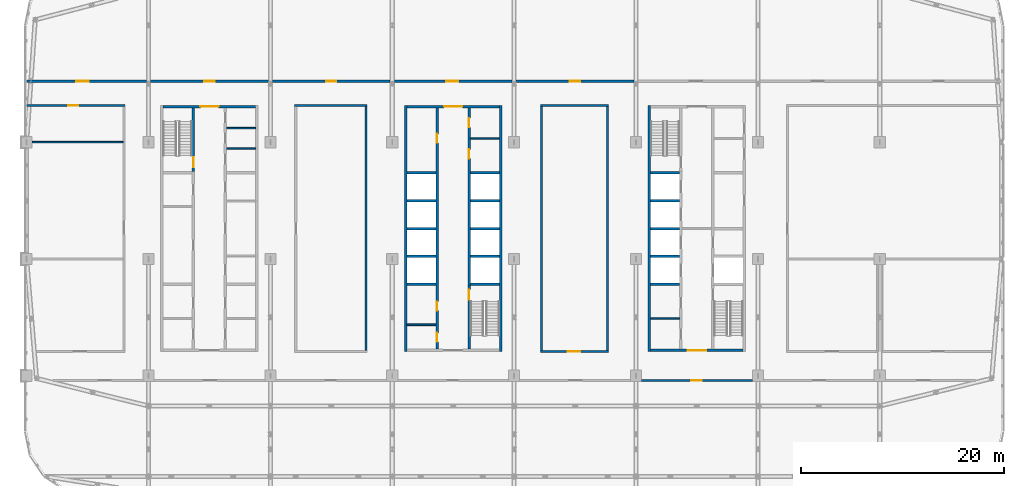
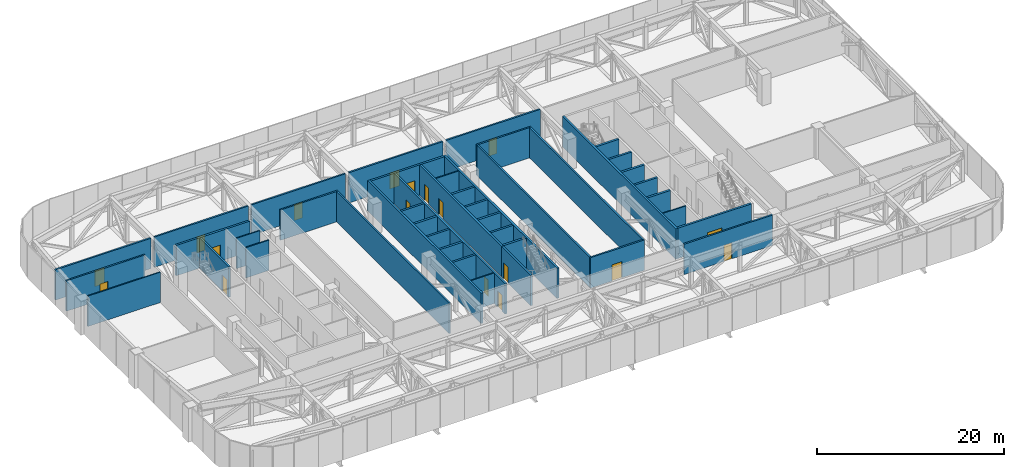
# One storey, part 14 of 28: 44 walls, 18 doors, 18 openings.
"""IFC4 building model written with IfcOpenShell, lengths in metres."""

from ifc_helpers import new_model, si_unit, direction, frame, frame_2d, origin, place, context, subcontext, project, spatial, rectangle, extrude, material, layer, layer_set, type_object, element, fill, save


model = new_model("IFC4")

# Units and contexts
model_context = context("Model", 3, precision=1e-05, world=origin(), true_north=direction((0.0, 1.0)))
body_context = subcontext(model_context, "Body", "Model", "MODEL_VIEW")
ifc_project = project(units=[si_unit("LENGTHUNIT", "METRE"), si_unit("AREAUNIT", "SQUARE_METRE"), si_unit("VOLUMEUNIT", "CUBIC_METRE"), si_unit("PLANEANGLEUNIT", "RADIAN"), si_unit("MASSUNIT", "GRAM", prefix="KILO")], contexts=[model_context])

# Site, building, storey
site_placement = place(None, origin())
site = spatial("IfcSite", under=ifc_project, at=site_placement, CompositionType="ELEMENT")
building_placement = place(site_placement, origin())
building = spatial("IfcBuilding", under=site, at=building_placement, Name="Mahtab Terrace Research Tower", CompositionType="ELEMENT")
storey_placement = place(building_placement, frame((0.0, 0.0, 224.300048828125)))
storey = spatial("IfcBuildingStorey", under=building, at=storey_placement, Name="L54", CompositionType="ELEMENT", Elevation=224.300048828125)

# Walls
ifc_material_1 = material(Name="Gypsum board partition")
ifc_layer_1 = layer(ifc_material_1, 0.14990234375)
ifc_layer_set_1 = layer_set([ifc_layer_1], Name="Core partition 150")
wall_type_1 = type_object("IfcWallType", Name="Core partition 150", PredefinedType="PARTITIONING", material=ifc_layer_set_1)
for number, where, z_axis, x_axis, name in (
    (1, (-22.300048828125, 10.875, 0.0), (0.0, 0.0, 1.0), (1.0, 0.0, 0.0), "Core wall A pEN788"),
    (2, (-22.300048828125, 12.875, 0.0), (0.0, 0.0, 1.0), (1.0, 0.0, 0.0), "Core wall A pEN988"),
    (3, (-4.550048828125, -6.47509765625, 0.0), (0.0, 0.0, 1.0), (1.0, 0.0, 0.0), "Core wall B pWS-948"),
    (4, (1.699951171875, 11.875, 0.0), (0.0, 0.0, 1.0), (1.0, 0.0, 0.0), "Core wall B pEN888"),
    (5, (19.449951171875, -5.875, 0.0), (0.0, 0.0, 1.0), (1.0, 0.0, 0.0), "Core wall C pWS-888"),
):
    element("IfcWall", number, at=place(storey_placement, frame(where, z_axis=z_axis, x_axis=x_axis)), inside=storey, type_object=wall_type_1, Name=name, PredefinedType="PARTITIONING", context=body_context, shape_type="SweptSolid", body=[
        extrude(rectangle(XDim=2.85009765625, YDim=0.14990234375, at=frame_2d((1.425048828125, 0.0))), origin(), (0.0, 0.0, 1.0), 3.9599609375),
    ])

# Wall, opening, door
ifc_material_2 = material(Name="Concrete C70/85", Category="concrete")
ifc_layer_2 = layer(ifc_material_2, 0.25)
ifc_layer_set_2 = layer_set([ifc_layer_2], Name="Core wall 250")
wall_type_2 = type_object("IfcWallType", Name="Core wall 250", PredefinedType="SOLIDWALL", material=ifc_layer_set_2)
wall_1_placement = place(storey_placement, frame((-28.550048828125, 15.0, 0.0), z_axis=(0.0, 0.0, 1.0), x_axis=(1.0, 0.0, 0.0)))
wall_1 = element("IfcWall", 6, at=wall_1_placement, inside=storey, type_object=wall_type_2, Name="Core wall A endN", PredefinedType="SOLIDWALL", context=body_context, shape_type="SweptSolid", body=[
    extrude(rectangle(XDim=9.10009765625, YDim=0.25, at=frame_2d((4.550048828125, 0.0))), origin(), (0.0, 0.0, 1.0), 3.9599609375),
])
opening_1_placement = place(wall_1_placement, frame((3.64990234375, 0.0, 0.0)))
opening_1 = element("IfcOpeningElement", 7, at=opening_1_placement, cuts=wall_1, Name="Opening A-N1", PredefinedType="OPENING", context=body_context, shape_type="SweptSolid", body=[
    extrude(rectangle(XDim=1.800048828125, YDim=2.10009765625, at=frame_2d((0.89990234375, 1.050048828125))), frame((0.0, 0.135009765625, 0.0), z_axis=(0.0, -1.0, 0.0), x_axis=(1.0, 0.0, 0.0)), (0.0, 0.0, 1.0), 0.27001953125),
])
ifc_material_3 = material(Name="Steel fire door", Category="steel")
door_type_1 = type_object("IfcDoorType", Name="Lobby double door 1800x2100 1 HR", OperationType="DOUBLE_DOOR_SINGLE_SWING", PredefinedType="DOOR", material=ifc_material_3)
door_1_placement = place(opening_1_placement, origin())
door_1 = element("IfcDoor", 8, at=door_1_placement, inside=storey, type_object=door_type_1, Name="Core entrance door A N", OperationType="DOUBLE_DOOR_SINGLE_SWING", OverallHeight=2.10009765625, OverallWidth=1.800048828125, PredefinedType="DOOR", context=body_context, shape_type="SweptSolid", body=[
    extrude(rectangle(XDim=1.800048828125, YDim=2.10009765625, at=frame_2d((0.89990234375, 1.050048828125))), frame((0.0, 0.02490234375, 0.0), z_axis=(0.0, -1.0, 0.0), x_axis=(1.0, 0.0, 0.0)), (0.0, 0.0, 1.0), 0.050048828125),
])
fill(opening_1, door_1)

wall_2_placement = place(storey_placement, frame((-25.574951171875, 14.875, 0.0), z_axis=(0.0, 0.0, 1.0), x_axis=(0.0, -1.0, 0.0)))
wall_2 = element("IfcWall", 9, at=wall_2_placement, inside=storey, type_object=wall_type_2, Name="Core wall A innerWN", PredefinedType="SOLIDWALL", context=body_context, shape_type="SweptSolid", body=[
    extrude(rectangle(XDim=6.25, YDim=0.25, at=frame_2d((3.125, 0.0))), origin(), (0.0, 0.0, 1.0), 3.9599609375),
])
opening_2_placement = place(wall_2_placement, frame((4.85009765625, 0.0, 0.0)))
opening_2 = element("IfcOpeningElement", 10, at=opening_2_placement, cuts=wall_2, Name="Opening A-ST1", PredefinedType="OPENING", context=body_context, shape_type="SweptSolid", body=[
    extrude(rectangle(XDim=1.0, YDim=2.10009765625, at=frame_2d((0.5, 1.050048828125))), frame((0.0, 0.135009765625, 0.0), z_axis=(0.0, -1.0, 0.0), x_axis=(1.0, 0.0, 0.0)), (0.0, 0.0, 1.0), 0.27001953125),
])
door_type_2 = type_object("IfcDoorType", Name="Stair door 1000x2100 1.5 HR", OperationType="NOTDEFINED", PredefinedType="DOOR", material=ifc_material_3)
door_2_placement = place(opening_2_placement, origin())
door_2 = element("IfcDoor", 11, at=door_2_placement, inside=storey, type_object=door_type_2, Name="Stair door ST1 L54", OperationType="SINGLE_SWING_LEFT", OverallHeight=2.10009765625, OverallWidth=1.0, PredefinedType="DOOR", context=body_context, shape_type="SweptSolid", body=[
    extrude(rectangle(XDim=1.0, YDim=2.10009765625, at=frame_2d((0.5, 1.050048828125))), frame((0.0, 0.02490234375, 0.0), z_axis=(0.0, -1.0, 0.0), x_axis=(1.0, 0.0, 0.0)), (0.0, 0.0, 1.0), 0.050048828125),
])
fill(opening_2, door_2)

# Walls
for number, where, z_axis, x_axis, name in (
    (12, (-4.675048828125, 15.125, 0.0), (0.0, 0.0, 1.0), (0.0, -1.0, 0.0), "Core wall B outerW"),
    (13, (4.675048828125, -9.125, 0.0), (0.0, 0.0, 1.0), (0.0, 1.0, 0.0), "Core wall B outerE"),
):
    element("IfcWall", number, at=place(storey_placement, frame(where, z_axis=z_axis, x_axis=x_axis)), inside=storey, type_object=wall_type_2, Name=name, PredefinedType="SOLIDWALL", context=body_context, shape_type="SweptSolid", body=[
        extrude(rectangle(XDim=24.25, YDim=0.25, at=frame_2d((12.125, 0.0))), origin(), (0.0, 0.0, 1.0), 3.9599609375),
    ])

# Wall, opening, door
wall_3_placement = place(storey_placement, frame((-4.550048828125, 15.0, 0.0), z_axis=(0.0, 0.0, 1.0), x_axis=(1.0, 0.0, 0.0)))
wall_3 = element("IfcWall", 14, at=wall_3_placement, inside=storey, type_object=wall_type_2, Name="Core wall B endN", PredefinedType="SOLIDWALL", context=body_context, shape_type="SweptSolid", body=[
    extrude(rectangle(XDim=9.10009765625, YDim=0.25, at=frame_2d((4.550048828125, 0.0))), origin(), (0.0, 0.0, 1.0), 3.9599609375),
])
opening_3_placement = place(wall_3_placement, frame((3.64990234375, 0.0, 0.0)))
opening_3 = element("IfcOpeningElement", 15, at=opening_3_placement, cuts=wall_3, Name="Opening B-N1", PredefinedType="OPENING", context=body_context, shape_type="SweptSolid", body=[
    extrude(rectangle(XDim=1.800048828125, YDim=2.10009765625, at=frame_2d((0.89990234375, 1.050048828125))), frame((0.0, 0.135009765625, 0.0), z_axis=(0.0, -1.0, 0.0), x_axis=(1.0, 0.0, 0.0)), (0.0, 0.0, 1.0), 0.27001953125),
])
door_3_placement = place(opening_3_placement, origin())
door_3 = element("IfcDoor", 16, at=door_3_placement, inside=storey, type_object=door_type_1, Name="Core entrance door B N", OperationType="DOUBLE_DOOR_SINGLE_SWING", OverallHeight=2.10009765625, OverallWidth=1.800048828125, PredefinedType="DOOR", context=body_context, shape_type="SweptSolid", body=[
    extrude(rectangle(XDim=1.800048828125, YDim=2.10009765625, at=frame_2d((0.89990234375, 1.050048828125))), frame((0.0, 0.02490234375, 0.0), z_axis=(0.0, -1.0, 0.0), x_axis=(1.0, 0.0, 0.0)), (0.0, 0.0, 1.0), 0.050048828125),
])
fill(opening_3, door_3)

# Wall, openings, doors
wall_4_placement = place(storey_placement, frame((-1.574951171875, -8.875, 0.0), z_axis=(0.0, 0.0, 1.0), x_axis=(0.0, 1.0, 0.0)))
wall_4 = element("IfcWall", 17, at=wall_4_placement, inside=storey, type_object=wall_type_2, Name="Core wall B innerWSLN", PredefinedType="SOLIDWALL", context=body_context, shape_type="SweptSolid", body=[
    extrude(rectangle(XDim=23.75, YDim=0.25, at=frame_2d((11.875, 0.0))), origin(), (0.0, 0.0, 1.0), 3.9599609375),
])
opening_4_placement = place(wall_4_placement, frame((0.71240234375, 0.0, 0.0)))
opening_4 = element("IfcOpeningElement", 18, at=opening_4_placement, cuts=wall_4, Name="Opening B-R1", PredefinedType="OPENING", context=body_context, shape_type="SweptSolid", body=[
    extrude(rectangle(XDim=0.89990234375, YDim=2.10009765625, at=frame_2d((0.449951171875, 1.050048828125))), frame((0.0, 0.135009765625, 0.0), z_axis=(0.0, -1.0, 0.0), x_axis=(1.0, 0.0, 0.0)), (0.0, 0.0, 1.0), 0.27001953125),
])
opening_5_placement = place(wall_4_placement, frame((3.78759765625, 0.0, 0.0)))
opening_5 = element("IfcOpeningElement", 19, at=opening_5_placement, cuts=wall_4, Name="Opening B-R2", PredefinedType="OPENING", context=body_context, shape_type="SweptSolid", body=[
    extrude(rectangle(XDim=0.89990234375, YDim=2.10009765625, at=frame_2d((0.449951171875, 1.050048828125))), frame((0.0, 0.135009765625, 0.0), z_axis=(0.0, -1.0, 0.0), x_axis=(1.0, 0.0, 0.0)), (0.0, 0.0, 1.0), 0.27001953125),
])
opening_6_placement = place(wall_4_placement, frame((20.300048828125, 0.0, 0.0)))
opening_6 = element("IfcOpeningElement", 20, at=opening_6_placement, cuts=wall_4, Name="Opening B-R3", PredefinedType="OPENING", context=body_context, shape_type="SweptSolid", body=[
    extrude(rectangle(XDim=0.89990234375, YDim=2.10009765625, at=frame_2d((0.449951171875, 1.050048828125))), frame((0.0, 0.135009765625, 0.0), z_axis=(0.0, -1.0, 0.0), x_axis=(1.0, 0.0, 0.0)), (0.0, 0.0, 1.0), 0.27001953125),
])
door_type_3 = type_object("IfcDoorType", Name="Room door 900x2100 1 HR", OperationType="NOTDEFINED", PredefinedType="DOOR", material=ifc_material_3)
door_4_placement = place(opening_4_placement, origin())
door_4 = element("IfcDoor", 21, at=door_4_placement, inside=storey, type_object=door_type_3, Name="Mechanical riser room door", OperationType="SINGLE_SWING_LEFT", OverallHeight=2.10009765625, OverallWidth=0.89990234375, PredefinedType="DOOR", context=body_context, shape_type="SweptSolid", body=[
    extrude(rectangle(XDim=0.89990234375, YDim=2.10009765625, at=frame_2d((0.449951171875, 1.050048828125))), frame((0.0, 0.02490234375, 0.0), z_axis=(0.0, -1.0, 0.0), x_axis=(1.0, 0.0, 0.0)), (0.0, 0.0, 1.0), 0.050048828125),
])
fill(opening_4, door_4)
door_5_placement = place(opening_5_placement, origin())
door_5 = element("IfcDoor", 22, at=door_5_placement, inside=storey, type_object=door_type_3, Name="Chemical store door", OperationType="SINGLE_SWING_RIGHT", OverallHeight=2.10009765625, OverallWidth=0.89990234375, PredefinedType="DOOR", context=body_context, shape_type="SweptSolid", body=[
    extrude(rectangle(XDim=0.89990234375, YDim=2.10009765625, at=frame_2d((0.449951171875, 1.050048828125))), frame((0.0, 0.02490234375, 0.0), z_axis=(0.0, -1.0, 0.0), x_axis=(1.0, 0.0, 0.0)), (0.0, 0.0, 1.0), 0.050048828125),
])
fill(opening_5, door_5)
door_6_placement = place(opening_6_placement, origin())
door_6 = element("IfcDoor", 23, at=door_6_placement, inside=storey, type_object=door_type_3, Name="Gas cylinder store door", OperationType="SINGLE_SWING_LEFT", OverallHeight=2.10009765625, OverallWidth=0.89990234375, PredefinedType="DOOR", context=body_context, shape_type="SweptSolid", body=[
    extrude(rectangle(XDim=0.89990234375, YDim=2.10009765625, at=frame_2d((0.449951171875, 1.050048828125))), frame((0.0, 0.02490234375, 0.0), z_axis=(0.0, -1.0, 0.0), x_axis=(1.0, 0.0, 0.0)), (0.0, 0.0, 1.0), 0.050048828125),
])
fill(opening_6, door_6)

# Wall, opening, door
wall_5_placement = place(storey_placement, frame((1.574951171875, -8.875, 0.0), z_axis=(0.0, 0.0, 1.0), x_axis=(0.0, 1.0, 0.0)))
wall_5 = element("IfcWall", 24, at=wall_5_placement, inside=storey, type_object=wall_type_2, Name="Core wall B innerES", PredefinedType="SOLIDWALL", context=body_context, shape_type="SweptSolid", body=[
    extrude(rectangle(XDim=6.25, YDim=0.25, at=frame_2d((3.125, 0.0))), origin(), (0.0, 0.0, 1.0), 3.9599609375),
])
opening_7_placement = place(wall_5_placement, frame((4.85009765625, 0.0, 0.0)))
opening_7 = element("IfcOpeningElement", 25, at=opening_7_placement, cuts=wall_5, Name="Opening B-ST2", PredefinedType="OPENING", context=body_context, shape_type="SweptSolid", body=[
    extrude(rectangle(XDim=1.0, YDim=2.10009765625, at=frame_2d((0.5, 1.050048828125))), frame((0.0, 0.135009765625, 0.0), z_axis=(0.0, -1.0, 0.0), x_axis=(1.0, 0.0, 0.0)), (0.0, 0.0, 1.0), 0.27001953125),
])
door_7_placement = place(opening_7_placement, origin())
door_7 = element("IfcDoor", 26, at=door_7_placement, inside=storey, type_object=door_type_2, Name="Stair door ST2 L54", OperationType="SINGLE_SWING_RIGHT", OverallHeight=2.10009765625, OverallWidth=1.0, PredefinedType="DOOR", context=body_context, shape_type="SweptSolid", body=[
    extrude(rectangle(XDim=1.0, YDim=2.10009765625, at=frame_2d((0.5, 1.050048828125))), frame((0.0, 0.02490234375, 0.0), z_axis=(0.0, -1.0, 0.0), x_axis=(1.0, 0.0, 0.0)), (0.0, 0.0, 1.0), 0.050048828125),
])
fill(opening_7, door_7)

# Wall, openings, doors
wall_6_placement = place(storey_placement, frame((1.574951171875, 14.875, 0.0), z_axis=(0.0, 0.0, 1.0), x_axis=(0.0, -1.0, 0.0)))
wall_6 = element("IfcWall", 27, at=wall_6_placement, inside=storey, type_object=wall_type_2, Name="Core wall B innerELN", PredefinedType="SOLIDWALL", context=body_context, shape_type="SweptSolid", body=[
    extrude(rectangle(XDim=17.5, YDim=0.25, at=frame_2d((8.75, 0.0))), origin(), (0.0, 0.0, 1.0), 3.9599609375),
])
opening_8_placement = place(wall_6_placement, frame((4.08740234375, 0.0, 0.0)))
opening_8 = element("IfcOpeningElement", 28, at=opening_8_placement, cuts=wall_6, Name="Opening B-R4", PredefinedType="OPENING", context=body_context, shape_type="SweptSolid", body=[
    extrude(rectangle(XDim=0.89990234375, YDim=2.10009765625, at=frame_2d((0.449951171875, 1.050048828125))), frame((0.0, 0.135009765625, 0.0), z_axis=(0.0, -1.0, 0.0), x_axis=(1.0, 0.0, 0.0)), (0.0, 0.0, 1.0), 0.27001953125),
])
opening_9_placement = place(wall_6_placement, frame((1.012451171875, 0.0, 0.0)))
opening_9 = element("IfcOpeningElement", 29, at=opening_9_placement, cuts=wall_6, Name="Opening B-R5", PredefinedType="OPENING", context=body_context, shape_type="SweptSolid", body=[
    extrude(rectangle(XDim=0.89990234375, YDim=2.10009765625, at=frame_2d((0.449951171875, 1.050048828125))), frame((0.0, 0.135009765625, 0.0), z_axis=(0.0, -1.0, 0.0), x_axis=(1.0, 0.0, 0.0)), (0.0, 0.0, 1.0), 0.27001953125),
])
door_8_placement = place(opening_8_placement, origin())
door_8 = element("IfcDoor", 30, at=door_8_placement, inside=storey, type_object=door_type_3, Name="Staff WC door", OperationType="SINGLE_SWING_RIGHT", OverallHeight=2.10009765625, OverallWidth=0.89990234375, PredefinedType="DOOR", context=body_context, shape_type="SweptSolid", body=[
    extrude(rectangle(XDim=0.89990234375, YDim=2.10009765625, at=frame_2d((0.449951171875, 1.050048828125))), frame((0.0, 0.02490234375, 0.0), z_axis=(0.0, -1.0, 0.0), x_axis=(1.0, 0.0, 0.0)), (0.0, 0.0, 1.0), 0.050048828125),
])
fill(opening_8, door_8)
door_9_placement = place(opening_9_placement, origin())
door_9 = element("IfcDoor", 31, at=door_9_placement, inside=storey, type_object=door_type_3, Name="Accessible WC door", OperationType="SINGLE_SWING_LEFT", OverallHeight=2.10009765625, OverallWidth=0.89990234375, PredefinedType="DOOR", context=body_context, shape_type="SweptSolid", body=[
    extrude(rectangle(XDim=0.89990234375, YDim=2.10009765625, at=frame_2d((0.449951171875, 1.050048828125))), frame((0.0, 0.02490234375, 0.0), z_axis=(0.0, -1.0, 0.0), x_axis=(1.0, 0.0, 0.0)), (0.0, 0.0, 1.0), 0.050048828125),
])
fill(opening_9, door_9)

# Walls
for number, where, z_axis, x_axis, name in (
    (32, (-4.550048828125, -2.5, 0.0), (0.0, 0.0, 1.0), (1.0, 0.0, 0.0), "Core wall B divW0"),
    (33, (-4.550048828125, 0.25, 0.0), (0.0, 0.0, 1.0), (1.0, 0.0, 0.0), "Core wall B divW1"),
    (34, (-4.550048828125, 3.0, 0.0), (0.0, 0.0, 1.0), (1.0, 0.0, 0.0), "Core wall B divW2"),
    (35, (-4.550048828125, 5.75, 0.0), (0.0, 0.0, 1.0), (1.0, 0.0, 0.0), "Core wall B divW3"),
    (36, (-4.550048828125, 8.5, 0.0), (0.0, 0.0, 1.0), (1.0, 0.0, 0.0), "Core wall B divW4"),
    (37, (1.699951171875, -2.5, 0.0), (0.0, 0.0, 1.0), (1.0, 0.0, 0.0), "Core wall B divE0"),
    (38, (1.699951171875, 0.25, 0.0), (0.0, 0.0, 1.0), (1.0, 0.0, 0.0), "Core wall B divE1"),
    (39, (1.699951171875, 3.0, 0.0), (0.0, 0.0, 1.0), (1.0, 0.0, 0.0), "Core wall B divE2"),
    (40, (1.699951171875, 5.75, 0.0), (0.0, 0.0, 1.0), (1.0, 0.0, 0.0), "Core wall B divE3"),
    (41, (1.699951171875, 8.5, 0.0), (0.0, 0.0, 1.0), (1.0, 0.0, 0.0), "Core wall B divE4"),
):
    element("IfcWall", number, at=place(storey_placement, frame(where, z_axis=z_axis, x_axis=x_axis)), inside=storey, type_object=wall_type_2, Name=name, PredefinedType="SOLIDWALL", context=body_context, shape_type="SweptSolid", body=[
        extrude(rectangle(XDim=2.85009765625, YDim=0.25, at=frame_2d((1.425048828125, 0.0))), origin(), (0.0, 0.0, 1.0), 3.9599609375),
    ])
wall_7_placement = place(storey_placement, frame((19.324951171875, 15.125, 0.0), z_axis=(0.0, 0.0, 1.0), x_axis=(0.0, -1.0, 0.0)))
element("IfcWall", 42, at=wall_7_placement, inside=storey, type_object=wall_type_2, Name="Core wall C outerW", PredefinedType="SOLIDWALL", context=body_context, shape_type="SweptSolid", body=[
    extrude(rectangle(XDim=24.25, YDim=0.25, at=frame_2d((12.125, 0.0))), origin(), (0.0, 0.0, 1.0), 3.9599609375),
])

# Wall, opening, door
wall_8_placement = place(storey_placement, frame((28.550048828125, -9.0, 0.0), z_axis=(0.0, 0.0, 1.0), x_axis=(-1.0, 0.0, 0.0)))
wall_8 = element("IfcWall", 43, at=wall_8_placement, inside=storey, type_object=wall_type_2, Name="Core wall C endS", PredefinedType="SOLIDWALL", context=body_context, shape_type="SweptSolid", body=[
    extrude(rectangle(XDim=9.10009765625, YDim=0.25, at=frame_2d((4.550048828125, 0.0))), origin(), (0.0, 0.0, 1.0), 3.9599609375),
])
opening_10_placement = place(wall_8_placement, frame((3.64990234375, 0.0, 0.0)))
opening_10 = element("IfcOpeningElement", 44, at=opening_10_placement, cuts=wall_8, Name="Opening C-S1", PredefinedType="OPENING", context=body_context, shape_type="SweptSolid", body=[
    extrude(rectangle(XDim=1.800048828125, YDim=2.10009765625, at=frame_2d((0.89990234375, 1.050048828125))), frame((0.0, 0.135009765625, 0.0), z_axis=(0.0, -1.0, 0.0), x_axis=(1.0, 0.0, 0.0)), (0.0, 0.0, 1.0), 0.27001953125),
])
door_10_placement = place(opening_10_placement, origin())
door_10 = element("IfcDoor", 45, at=door_10_placement, inside=storey, type_object=door_type_1, Name="Core entrance door C S", OperationType="DOUBLE_DOOR_SINGLE_SWING", OverallHeight=2.10009765625, OverallWidth=1.800048828125, PredefinedType="DOOR", context=body_context, shape_type="SweptSolid", body=[
    extrude(rectangle(XDim=1.800048828125, YDim=2.10009765625, at=frame_2d((0.89990234375, 1.050048828125))), frame((0.0, 0.02490234375, 0.0), z_axis=(0.0, -1.0, 0.0), x_axis=(1.0, 0.0, 0.0)), (0.0, 0.0, 1.0), 0.050048828125),
])
fill(opening_10, door_10)

# Walls
for number, where, z_axis, x_axis, name in (
    (46, (19.449951171875, -2.5, 0.0), (0.0, 0.0, 1.0), (1.0, 0.0, 0.0), "Core wall C divW0"),
    (47, (19.449951171875, 0.25, 0.0), (0.0, 0.0, 1.0), (1.0, 0.0, 0.0), "Core wall C divW1"),
    (48, (19.449951171875, 3.0, 0.0), (0.0, 0.0, 1.0), (1.0, 0.0, 0.0), "Core wall C divW2"),
    (49, (19.449951171875, 5.75, 0.0), (0.0, 0.0, 1.0), (1.0, 0.0, 0.0), "Core wall C divW3"),
    (50, (19.449951171875, 8.5, 0.0), (0.0, 0.0, 1.0), (1.0, 0.0, 0.0), "Core wall C divW4"),
):
    element("IfcWall", number, at=place(storey_placement, frame(where, z_axis=z_axis, x_axis=x_axis)), inside=storey, type_object=wall_type_2, Name=name, PredefinedType="SOLIDWALL", context=body_context, shape_type="SweptSolid", body=[
        extrude(rectangle(XDim=2.85009765625, YDim=0.25, at=frame_2d((1.425048828125, 0.0))), origin(), (0.0, 0.0, 1.0), 3.9599609375),
    ])

# Wall, opening, door
ifc_material_4 = material(Name="Gypsum board corridor wall on steel studs", Category="steel")
ifc_layer_3 = layer(ifc_material_4, 0.199951171875)
ifc_layer_set_3 = layer_set([ifc_layer_3], Name="WALL CORRIDOR 200")
wall_type_3 = type_object("IfcWallType", Name="WALL CORRIDOR 200", PredefinedType="PARTITIONING", material=ifc_layer_set_3)
wall_9_placement = place(storey_placement, frame((18.550048828125, -11.949951171875, 0.0), z_axis=(0.0, 0.0, 1.0), x_axis=(1.0, 0.0, 0.0)))
wall_9 = element("IfcWall", 51, at=wall_9_placement, inside=storey, type_object=wall_type_3, Name="L54-W006", PredefinedType="PARTITIONING", context=body_context, shape_type="SweptSolid", body=[
    extrude(rectangle(XDim=10.89990234375, YDim=0.199951171875, at=frame_2d((5.449951171875, 0.0))), origin(), (0.0, 0.0, 1.0), 3.9599609375),
])
opening_11_placement = place(wall_9_placement, frame((4.89990234375, 0.0, 0.0)))
opening_11 = element("IfcOpeningElement", 52, at=opening_11_placement, cuts=wall_9, Name="Opening L54-106", PredefinedType="OPENING", context=body_context, shape_type="SweptSolid", body=[
    extrude(rectangle(XDim=1.0, YDim=2.10009765625, at=frame_2d((0.5, 1.050048828125))), frame((0.0, 0.10986328125, 0.0), z_axis=(0.0, -1.0, 0.0), x_axis=(1.0, 0.0, 0.0)), (0.0, 0.0, 1.0), 0.219970703125),
])
ifc_material_5 = material(Name="Timber door leaf in steel frame", Category="steel")
door_type_4 = type_object("IfcDoorType", Name="DOOR 1000X2100 FD30S", OperationType="SINGLE_SWING_LEFT", PredefinedType="DOOR", material=ifc_material_5)
door_11_placement = place(opening_11_placement, origin())
door_11 = element("IfcDoor", 53, at=door_11_placement, inside=storey, type_object=door_type_4, Name="Door L54-106", OperationType="SINGLE_SWING_RIGHT", OverallHeight=2.10009765625, OverallWidth=1.0, PredefinedType="DOOR", context=body_context, shape_type="SweptSolid", body=[
    extrude(rectangle(XDim=1.0, YDim=2.10009765625, at=frame_2d((0.5, 1.050048828125))), frame((0.0, 0.02490234375, 0.0), z_axis=(0.0, -1.0, 0.0), x_axis=(1.0, 0.0, 0.0)), (0.0, 0.0, 1.0), 0.050048828125),
])
fill(opening_11, door_11)

wall_10_placement = place(storey_placement, frame((8.60009765625, -9.125, 0.0), z_axis=(0.0, 0.0, 1.0), x_axis=(1.0, 0.0, 0.0)))
wall_10 = element("IfcWall", 54, at=wall_10_placement, inside=storey, type_object=wall_type_3, Name="L54-W011", PredefinedType="PARTITIONING", context=body_context, shape_type="SweptSolid", body=[
    extrude(rectangle(XDim=6.699951171875, YDim=0.199951171875, at=frame_2d((3.35009765625, 0.0))), origin(), (0.0, 0.0, 1.0), 3.9599609375),
])
opening_12_placement = place(wall_10_placement, frame((2.699951171875, 0.0, 0.0)))
opening_12 = element("IfcOpeningElement", 55, at=opening_12_placement, cuts=wall_10, Name="Opening L54-114", PredefinedType="OPENING", context=body_context, shape_type="SweptSolid", body=[
    extrude(rectangle(XDim=1.199951171875, YDim=2.10009765625, at=frame_2d((0.60009765625, 1.050048828125))), frame((0.0, 0.10986328125, 0.0), z_axis=(0.0, -1.0, 0.0), x_axis=(1.0, 0.0, 0.0)), (0.0, 0.0, 1.0), 0.219970703125),
])
door_type_5 = type_object("IfcDoorType", Name="DOOR 1200X2100 FD30S", OperationType="SINGLE_SWING_LEFT", PredefinedType="DOOR", material=ifc_material_5)
door_12_placement = place(opening_12_placement, origin())
door_12 = element("IfcDoor", 56, at=door_12_placement, inside=storey, type_object=door_type_5, Name="Door L54-114", OperationType="SINGLE_SWING_LEFT", OverallHeight=2.10009765625, OverallWidth=1.199951171875, PredefinedType="DOOR", context=body_context, shape_type="SweptSolid", body=[
    extrude(rectangle(XDim=1.199951171875, YDim=2.10009765625, at=frame_2d((0.60009765625, 1.050048828125))), frame((0.0, 0.02490234375, 0.0), z_axis=(0.0, -1.0, 0.0), x_axis=(1.0, 0.0, 0.0)), (0.0, 0.0, 1.0), 0.050048828125),
])
fill(opening_12, door_12)

wall_11_placement = place(storey_placement, frame((-42.0, 15.125, 0.0), z_axis=(0.0, 0.0, 1.0), x_axis=(1.0, 0.0, 0.0)))
wall_11 = element("IfcWall", 57, at=wall_11_placement, inside=storey, type_object=wall_type_3, Name="L54-W019", PredefinedType="PARTITIONING", context=body_context, shape_type="SweptSolid", body=[
    extrude(rectangle(XDim=9.699951171875, YDim=0.199951171875, at=frame_2d((4.85009765625, 0.0))), origin(), (0.0, 0.0, 1.0), 3.9599609375),
])
opening_13_placement = place(wall_11_placement, frame((4.10009765625, 0.0, 0.0)))
opening_13 = element("IfcOpeningElement", 58, at=opening_13_placement, cuts=wall_11, Name="Opening L54-116", PredefinedType="OPENING", context=body_context, shape_type="SweptSolid", body=[
    extrude(rectangle(XDim=1.0, YDim=2.10009765625, at=frame_2d((0.5, 1.050048828125))), frame((0.0, 0.10986328125, 0.0), z_axis=(0.0, -1.0, 0.0), x_axis=(1.0, 0.0, 0.0)), (0.0, 0.0, 1.0), 0.219970703125),
])
door_13_placement = place(opening_13_placement, origin())
door_13 = element("IfcDoor", 59, at=door_13_placement, inside=storey, type_object=door_type_4, Name="Door L54-116", OperationType="SINGLE_SWING_RIGHT", OverallHeight=2.10009765625, OverallWidth=1.0, PredefinedType="DOOR", context=body_context, shape_type="SweptSolid", body=[
    extrude(rectangle(XDim=1.0, YDim=2.10009765625, at=frame_2d((0.5, 1.050048828125))), frame((0.0, 0.02490234375, 0.0), z_axis=(0.0, -1.0, 0.0), x_axis=(1.0, 0.0, 0.0)), (0.0, 0.0, 1.0), 0.050048828125),
])
fill(opening_13, door_13)

# Walls
wall_12_placement = place(storey_placement, frame((-15.60009765625, 15.125, 0.0), z_axis=(0.0, 0.0, 1.0), x_axis=(1.0, 0.0, 0.0)))
element("IfcWall", 60, at=wall_12_placement, inside=storey, type_object=wall_type_3, Name="L54-W020", PredefinedType="PARTITIONING", context=body_context, shape_type="SweptSolid", body=[
    extrude(rectangle(XDim=7.10009765625, YDim=0.199951171875, at=frame_2d((3.550048828125, 0.0))), origin(), (0.0, 0.0, 1.0), 3.9599609375),
])
wall_13_placement = place(storey_placement, frame((8.60009765625, 15.125, 0.0), z_axis=(0.0, 0.0, 1.0), x_axis=(1.0, 0.0, 0.0)))
element("IfcWall", 61, at=wall_13_placement, inside=storey, type_object=wall_type_3, Name="L54-W021", PredefinedType="PARTITIONING", context=body_context, shape_type="SweptSolid", body=[
    extrude(rectangle(XDim=6.699951171875, YDim=0.199951171875, at=frame_2d((3.35009765625, 0.0))), origin(), (0.0, 0.0, 1.0), 3.9599609375),
])

# Wall, opening, door
wall_14_placement = place(storey_placement, frame((-42.0, 17.5, 0.0), z_axis=(0.0, 0.0, 1.0), x_axis=(1.0, 0.0, 0.0)))
wall_14 = element("IfcWall", 62, at=wall_14_placement, inside=storey, type_object=wall_type_3, Name="L54-W024", PredefinedType="PARTITIONING", context=body_context, shape_type="SweptSolid", body=[
    extrude(rectangle(XDim=11.800048828125, YDim=0.199951171875, at=frame_2d((5.89990234375, 0.0))), origin(), (0.0, 0.0, 1.0), 3.9599609375),
])
opening_14_placement = place(wall_14_placement, frame((4.89990234375, 0.0, 0.0)))
opening_14 = element("IfcOpeningElement", 63, at=opening_14_placement, cuts=wall_14, Name="Opening L54-117", PredefinedType="OPENING", context=body_context, shape_type="SweptSolid", body=[
    extrude(rectangle(XDim=1.199951171875, YDim=2.10009765625, at=frame_2d((0.60009765625, 1.050048828125))), frame((0.0, 0.10986328125, 0.0), z_axis=(0.0, -1.0, 0.0), x_axis=(1.0, 0.0, 0.0)), (0.0, 0.0, 1.0), 0.219970703125),
])
door_14_placement = place(opening_14_placement, origin())
door_14 = element("IfcDoor", 64, at=door_14_placement, inside=storey, type_object=door_type_5, Name="Door L54-117", OperationType="SINGLE_SWING_LEFT", OverallHeight=2.10009765625, OverallWidth=1.199951171875, PredefinedType="DOOR", context=body_context, shape_type="SweptSolid", body=[
    extrude(rectangle(XDim=1.199951171875, YDim=2.10009765625, at=frame_2d((0.60009765625, 1.050048828125))), frame((0.0, 0.02490234375, 0.0), z_axis=(0.0, -1.0, 0.0), x_axis=(1.0, 0.0, 0.0)), (0.0, 0.0, 1.0), 0.050048828125),
])
fill(opening_14, door_14)

wall_15_placement = place(storey_placement, frame((-29.800048828125, 17.5, 0.0), z_axis=(0.0, 0.0, 1.0), x_axis=(1.0, 0.0, 0.0)))
wall_15 = element("IfcWall", 65, at=wall_15_placement, inside=storey, type_object=wall_type_3, Name="L54-W025", PredefinedType="PARTITIONING", context=body_context, shape_type="SweptSolid", body=[
    extrude(rectangle(XDim=11.60009765625, YDim=0.199951171875, at=frame_2d((5.800048828125, 0.0))), origin(), (0.0, 0.0, 1.0), 3.9599609375),
])
opening_15_placement = place(wall_15_placement, frame((5.300048828125, 0.0, 0.0)))
opening_15 = element("IfcOpeningElement", 66, at=opening_15_placement, cuts=wall_15, Name="Opening L54-118", PredefinedType="OPENING", context=body_context, shape_type="SweptSolid", body=[
    extrude(rectangle(XDim=1.0, YDim=2.10009765625, at=frame_2d((0.5, 1.050048828125))), frame((0.0, 0.10986328125, 0.0), z_axis=(0.0, -1.0, 0.0), x_axis=(1.0, 0.0, 0.0)), (0.0, 0.0, 1.0), 0.219970703125),
])
door_15_placement = place(opening_15_placement, origin())
door_15 = element("IfcDoor", 67, at=door_15_placement, inside=storey, type_object=door_type_4, Name="Door L54-118", OperationType="SINGLE_SWING_LEFT", OverallHeight=2.10009765625, OverallWidth=1.0, PredefinedType="DOOR", context=body_context, shape_type="SweptSolid", body=[
    extrude(rectangle(XDim=1.0, YDim=2.10009765625, at=frame_2d((0.5, 1.050048828125))), frame((0.0, 0.02490234375, 0.0), z_axis=(0.0, -1.0, 0.0), x_axis=(1.0, 0.0, 0.0)), (0.0, 0.0, 1.0), 0.050048828125),
])
fill(opening_15, door_15)

wall_16_placement = place(storey_placement, frame((-17.800048828125, 17.5, 0.0), z_axis=(0.0, 0.0, 1.0), x_axis=(1.0, 0.0, 0.0)))
wall_16 = element("IfcWall", 68, at=wall_16_placement, inside=storey, type_object=wall_type_3, Name="L54-W026", PredefinedType="PARTITIONING", context=body_context, shape_type="SweptSolid", body=[
    extrude(rectangle(XDim=11.60009765625, YDim=0.199951171875, at=frame_2d((5.800048828125, 0.0))), origin(), (0.0, 0.0, 1.0), 3.9599609375),
])
opening_16_placement = place(wall_16_placement, frame((5.300048828125, 0.0, 0.0)))
opening_16 = element("IfcOpeningElement", 69, at=opening_16_placement, cuts=wall_16, Name="Opening L54-119", PredefinedType="OPENING", context=body_context, shape_type="SweptSolid", body=[
    extrude(rectangle(XDim=1.0, YDim=2.10009765625, at=frame_2d((0.5, 1.050048828125))), frame((0.0, 0.10986328125, 0.0), z_axis=(0.0, -1.0, 0.0), x_axis=(1.0, 0.0, 0.0)), (0.0, 0.0, 1.0), 0.219970703125),
])
door_16_placement = place(opening_16_placement, origin())
door_16 = element("IfcDoor", 70, at=door_16_placement, inside=storey, type_object=door_type_4, Name="Door L54-119", OperationType="SINGLE_SWING_RIGHT", OverallHeight=2.10009765625, OverallWidth=1.0, PredefinedType="DOOR", context=body_context, shape_type="SweptSolid", body=[
    extrude(rectangle(XDim=1.0, YDim=2.10009765625, at=frame_2d((0.5, 1.050048828125))), frame((0.0, 0.02490234375, 0.0), z_axis=(0.0, -1.0, 0.0), x_axis=(1.0, 0.0, 0.0)), (0.0, 0.0, 1.0), 0.050048828125),
])
fill(opening_16, door_16)

wall_17_placement = place(storey_placement, frame((-5.800048828125, 17.5, 0.0), z_axis=(0.0, 0.0, 1.0), x_axis=(1.0, 0.0, 0.0)))
wall_17 = element("IfcWall", 71, at=wall_17_placement, inside=storey, type_object=wall_type_3, Name="L54-W027", PredefinedType="PARTITIONING", context=body_context, shape_type="SweptSolid", body=[
    extrude(rectangle(XDim=11.60009765625, YDim=0.199951171875, at=frame_2d((5.800048828125, 0.0))), origin(), (0.0, 0.0, 1.0), 3.9599609375),
])
opening_17_placement = place(wall_17_placement, frame((5.10009765625, 0.0, 0.0)))
opening_17 = element("IfcOpeningElement", 72, at=opening_17_placement, cuts=wall_17, Name="Opening L54-120", PredefinedType="OPENING", context=body_context, shape_type="SweptSolid", body=[
    extrude(rectangle(XDim=1.199951171875, YDim=2.10009765625, at=frame_2d((0.60009765625, 1.050048828125))), frame((0.0, 0.10986328125, 0.0), z_axis=(0.0, -1.0, 0.0), x_axis=(1.0, 0.0, 0.0)), (0.0, 0.0, 1.0), 0.219970703125),
])
door_17_placement = place(opening_17_placement, origin())
door_17 = element("IfcDoor", 73, at=door_17_placement, inside=storey, type_object=door_type_5, Name="Door L54-120", OperationType="SINGLE_SWING_LEFT", OverallHeight=2.10009765625, OverallWidth=1.199951171875, PredefinedType="DOOR", context=body_context, shape_type="SweptSolid", body=[
    extrude(rectangle(XDim=1.199951171875, YDim=2.10009765625, at=frame_2d((0.60009765625, 1.050048828125))), frame((0.0, 0.02490234375, 0.0), z_axis=(0.0, -1.0, 0.0), x_axis=(1.0, 0.0, 0.0)), (0.0, 0.0, 1.0), 0.050048828125),
])
fill(opening_17, door_17)

wall_18_placement = place(storey_placement, frame((6.199951171875, 17.5, 0.0), z_axis=(0.0, 0.0, 1.0), x_axis=(1.0, 0.0, 0.0)))
wall_18 = element("IfcWall", 74, at=wall_18_placement, inside=storey, type_object=wall_type_3, Name="L54-W028", PredefinedType="PARTITIONING", context=body_context, shape_type="SweptSolid", body=[
    extrude(rectangle(XDim=11.60009765625, YDim=0.199951171875, at=frame_2d((5.800048828125, 0.0))), origin(), (0.0, 0.0, 1.0), 3.9599609375),
])
opening_18_placement = place(wall_18_placement, frame((5.300048828125, 0.0, 0.0)))
opening_18 = element("IfcOpeningElement", 75, at=opening_18_placement, cuts=wall_18, Name="Opening L54-121", PredefinedType="OPENING", context=body_context, shape_type="SweptSolid", body=[
    extrude(rectangle(XDim=1.0, YDim=2.10009765625, at=frame_2d((0.5, 1.050048828125))), frame((0.0, 0.10986328125, 0.0), z_axis=(0.0, -1.0, 0.0), x_axis=(1.0, 0.0, 0.0)), (0.0, 0.0, 1.0), 0.219970703125),
])
door_18_placement = place(opening_18_placement, origin())
door_18 = element("IfcDoor", 76, at=door_18_placement, inside=storey, type_object=door_type_4, Name="Door L54-121", OperationType="SINGLE_SWING_LEFT", OverallHeight=2.10009765625, OverallWidth=1.0, PredefinedType="DOOR", context=body_context, shape_type="SweptSolid", body=[
    extrude(rectangle(XDim=1.0, YDim=2.10009765625, at=frame_2d((0.5, 1.050048828125))), frame((0.0, 0.02490234375, 0.0), z_axis=(0.0, -1.0, 0.0), x_axis=(1.0, 0.0, 0.0)), (0.0, 0.0, 1.0), 0.050048828125),
])
fill(opening_18, door_18)

# Walls
for number, where, z_axis, x_axis, name in (
    (77, (-8.60009765625, -9.02490234375, 0.0), (0.0, 0.0, 1.0), (0.0, 1.0, 0.0), "L54-W035"),
    (78, (8.699951171875, -9.02490234375, 0.0), (0.0, 0.0, 1.0), (0.0, 1.0, 0.0), "L54-W036"),
    (79, (15.199951171875, -9.02490234375, 0.0), (0.0, 0.0, 1.0), (0.0, 1.0, 0.0), "L54-W037"),
):
    element("IfcWall", number, at=place(storey_placement, frame(where, z_axis=z_axis, x_axis=x_axis)), inside=storey, type_object=wall_type_3, Name=name, PredefinedType="PARTITIONING", context=body_context, shape_type="SweptSolid", body=[
        extrude(rectangle(XDim=24.0498046875, YDim=0.199951171875, at=frame_2d((12.02490234375, 0.0))), origin(), (0.0, 0.0, 1.0), 3.9599609375),
    ])
ifc_material_6 = material(Name="Gypsum board partition on steel studs", Category="steel")
ifc_layer_4 = layer(ifc_material_6, 0.14990234375)
ifc_layer_set_4 = layer_set([ifc_layer_4], Name="WALL PARTITION 150")
wall_type_4 = type_object("IfcWallType", Name="WALL PARTITION 150", PredefinedType="PARTITIONING", material=ifc_layer_set_4)
wall_19_placement = place(storey_placement, frame((-41.449951171875, 11.5, 0.0), z_axis=(0.0, 0.0, 1.0), x_axis=(1.0, 0.0, 0.0)))
element("IfcWall", 80, at=wall_19_placement, inside=storey, type_object=wall_type_4, Name="L54-W017", PredefinedType="PARTITIONING", context=body_context, shape_type="SweptSolid", body=[
    extrude(rectangle(XDim=8.949951171875, YDim=0.14990234375, at=frame_2d((4.47509765625, 0.0))), origin(), (0.0, 0.0, 1.0), 3.9599609375),
])

save(model, "model.ifc")
